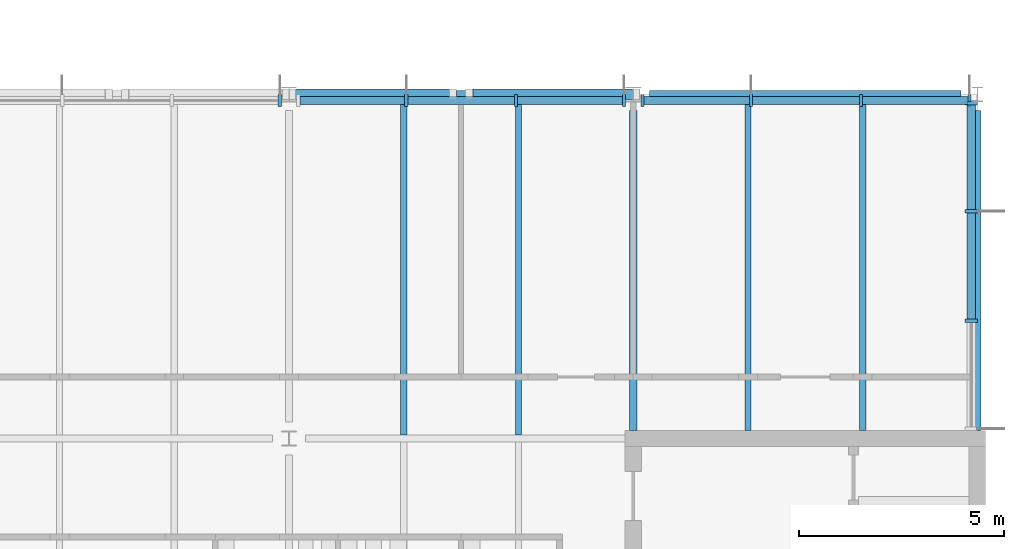
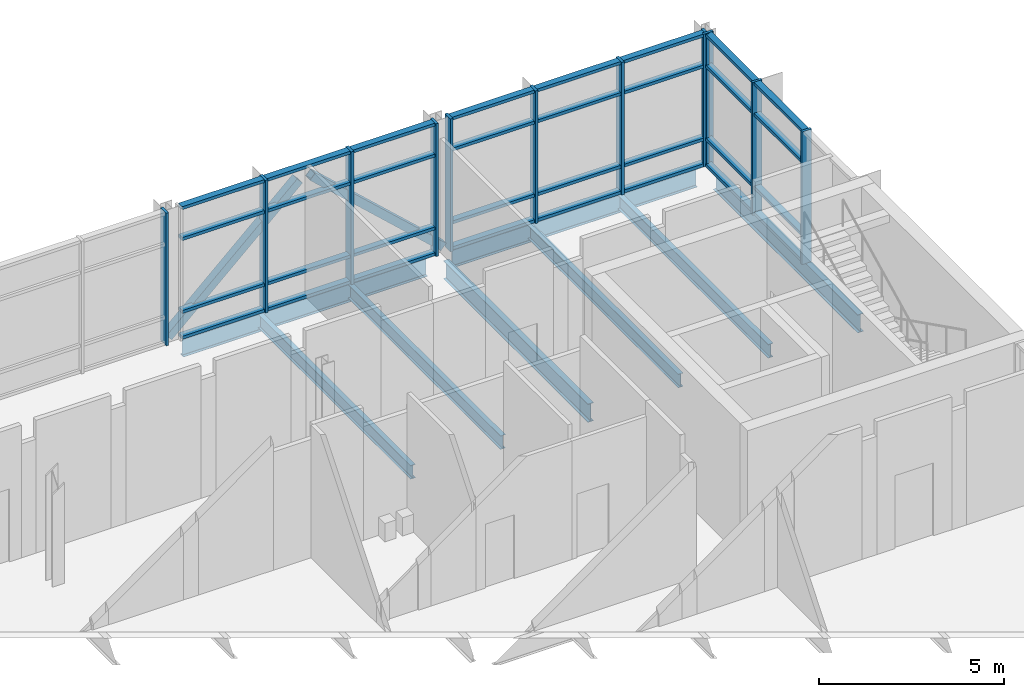
# One storey, part 35 of 89: 45 members, 8 beams, 4 elements without a shape of their own.
"""IFC4 building model written with IfcOpenShell, lengths in metres."""

from ifc_helpers import new_model, si_unit, direction, frame, origin, origin_2d, place, context, subcontext, project, spatial, rectangle, hollow_rectangle, i_section, extrude, material, material_profile, profile_set, type_object, element, aggregate, save


model = new_model("IFC4")

# Units and contexts
model_context = context("Model", 3, precision=1e-05, world=origin(), true_north=direction((0.0, 1.0)))
body_context = subcontext(model_context, "Body", "Model", "MODEL_VIEW")
ifc_project = project(units=[si_unit("LENGTHUNIT", "METRE"), si_unit("AREAUNIT", "SQUARE_METRE"), si_unit("VOLUMEUNIT", "CUBIC_METRE"), si_unit("PLANEANGLEUNIT", "RADIAN"), si_unit("MASSUNIT", "GRAM", prefix="KILO")], contexts=[model_context])

# Site, building, storey
site_placement = place(None, origin())
site = spatial("IfcSite", under=ifc_project, at=site_placement, CompositionType="ELEMENT")
building_placement = place(site_placement, origin())
building = spatial("IfcBuilding", under=site, at=building_placement, Name="Hlaing Beacon Police Headquarters", CompositionType="ELEMENT")
storey_placement = place(building_placement, frame((0.0, 0.0, 9.89990234375)))
storey = spatial("IfcBuildingStorey", under=building, at=storey_placement, Name="L02", CompositionType="ELEMENT", Elevation=9.89990234375)

# Members
ifc_material_1 = material(Name="Steel ASTM A500 Grade C", Category="steel")
ifc_material_profile_1 = material_profile(ifc_material_1, hollow_rectangle(XDim=0.25390625, YDim=0.25390625, WallThickness=0.0126953125, at=origin_2d()), Name="HSS10x10x1/2")
ifc_profile_set_1 = profile_set([ifc_material_profile_1], Name="Steel ASTM A500 Grade C")
member_type_1 = type_object("IfcMemberType", Name="Chevron brace HSS10x10x1/2", PredefinedType="BRACE", material=ifc_profile_set_1)
member_1_placement = place(storey_placement, frame((117.52490234375, 92.39990234375, 0.093994140625), z_axis=(0.736384545735, 0.0, 0.676563227498), x_axis=(0.0, 1.0, 0.0)))
element("IfcMember", 1, at=member_1_placement, inside=storey, type_object=member_type_1, Name="STR-BR-L02-12Qa", PredefinedType="BRACE", context=body_context, shape_type="SweptSolid", body=[
    extrude(hollow_rectangle(XDim=0.25390625, YDim=0.25390625, WallThickness=0.0126953125, at=origin_2d()), origin(), (0.0, 0.0, 1.0), 5.5341796875),
])
member_2_placement = place(storey_placement, frame((126.074951171875, 92.39990234375, 0.093994140625), z_axis=(-0.736364351183, 0.0, 0.676585206982), x_axis=(0.0, -1.0, 0.0)))
element("IfcMember", 2, at=member_2_placement, inside=storey, type_object=member_type_1, Name="STR-BR-L02-12Qb", PredefinedType="BRACE", context=body_context, shape_type="SweptSolid", body=[
    extrude(hollow_rectangle(XDim=0.25390625, YDim=0.25390625, WallThickness=0.0126953125, at=origin_2d()), origin(), (0.0, 0.0, 1.0), 5.533935546875),
])

# Beams
ifc_material_2 = material(Name="Steel ASTM A992 Grade 50", Category="steel")
ifc_material_profile_2 = material_profile(ifc_material_2, i_section(OverallWidth=0.177978515625, OverallDepth=0.599365234375, WebThickness=0.010009765625, FlangeThickness=0.012939453125, FilletRadius=0.012939453125, at=origin_2d()), Name="W24x55")
ifc_profile_set_2 = profile_set([ifc_material_profile_2], Name="Steel ASTM A992 Grade 50")
beam_type_1 = type_object("IfcBeamType", Name="Girder W24x55", PredefinedType="BEAM", material=ifc_profile_set_2)
for number, where, z_axis, x_axis, name in (
    (3, (118.0, 92.39990234375, -0.4296875), (1.0, 0.0, 0.0), (0.0, 1.0, 0.0), "STR-BM-L02-GX-Q12-R12"),
    (4, (126.39990234375, 92.39990234375, -0.4296875), (1.0, 0.0, 0.0), (0.0, 1.0, 0.0), "STR-BM-L02-GX-R12-S12"),
):
    element("IfcBeam", number, at=place(storey_placement, frame(where, z_axis=z_axis, x_axis=x_axis)), inside=storey, type_object=beam_type_1, Name=name, PredefinedType="BEAM", context=body_context, shape_type="SweptSolid", body=[
        extrude(i_section(OverallWidth=0.177978515625, OverallDepth=0.599365234375, WebThickness=0.010009765625, FlangeThickness=0.012939453125, FilletRadius=0.012939453125, at=origin_2d()), origin(), (0.0, 0.0, 1.0), 7.60009765625),
    ])
for number, where, z_axis, x_axis, name in (
    (5, (126.0, 84.199951171875, -0.4296875), (0.0, 1.0, 0.0), (-1.0, 0.0, 0.0), "STR-BM-L02-GY-R11-R12"),
    (6, (134.39990234375, 84.199951171875, -0.4296875), (0.0, 1.0, 0.0), (-1.0, 0.0, 0.0), "STR-BM-L02-GY-S11-S12"),
):
    element("IfcBeam", number, at=place(storey_placement, frame(where, z_axis=z_axis, x_axis=x_axis)), inside=storey, type_object=beam_type_1, Name=name, PredefinedType="BEAM", context=body_context, shape_type="SweptSolid", body=[
        extrude(i_section(OverallWidth=0.177978515625, OverallDepth=0.599365234375, WebThickness=0.010009765625, FlangeThickness=0.012939453125, FilletRadius=0.012939453125, at=origin_2d()), origin(), (0.0, 0.0, 1.0), 7.800048828125),
    ])

# Curtain wall, members
ifc_material_3 = material(Name="Aluminium frame with solar control glazing", Category="aluminium")
curtain_wall_type_1 = type_object("IfcCurtainWallType", Name="Structural glazed gable wall 8.02 x 4.37", PredefinedType="NOTDEFINED", material=ifc_material_3)
curtain_wall_1_placement = place(storey_placement, origin())
curtain_wall_1 = element("IfcCurtainWall", 7, at=curtain_wall_1_placement, inside=storey, type_object=curtain_wall_type_1, Name="ENV-CW-L02-E021", PredefinedType="NOTDEFINED")
ifc_material_4 = material(Name="Aluminium", Category="aluminium")
ifc_material_profile_3 = material_profile(ifc_material_4, rectangle(XDim=0.300048828125, YDim=0.080078125, at=origin_2d()), Name="Mullion 80x300")
ifc_profile_set_3 = profile_set([ifc_material_profile_3], Name="Aluminium")
member_type_2 = type_object("IfcMemberType", Name="Mullion 80x300", PredefinedType="MULLION", material=ifc_profile_set_3)
member_3_placement = place(storey_placement, frame((134.25, 86.8740234375, 0.0), z_axis=(0.0, 0.0, 1.0), x_axis=(-1.0, 0.0, 0.0)))
member_3 = element("IfcMember", 8, at=member_3_placement, type_object=member_type_2, Name="CW-L02-E021 mullion 2", PredefinedType="MULLION", context=body_context, shape_type="SweptSolid", body=[
    extrude(rectangle(XDim=0.300048828125, YDim=0.080078125, at=origin_2d()), origin(), (0.0, 0.0, 1.0), 4.3701171875),
])
member_4_placement = place(storey_placement, frame((134.25, 89.548095703125, 0.0), z_axis=(0.0, 0.0, 1.0), x_axis=(-1.0, 0.0, 0.0)))
member_4 = element("IfcMember", 9, at=member_4_placement, type_object=member_type_2, Name="CW-L02-E021 mullion 3", PredefinedType="MULLION", context=body_context, shape_type="SweptSolid", body=[
    extrude(rectangle(XDim=0.300048828125, YDim=0.080078125, at=origin_2d()), origin(), (0.0, 0.0, 1.0), 4.3701171875),
])
member_5_placement = place(storey_placement, frame((134.25, 92.18212890625, 0.0), z_axis=(0.0, 0.0, 1.0), x_axis=(-1.0, 0.0, 0.0)))
member_5 = element("IfcMember", 10, at=member_5_placement, type_object=member_type_2, Name="CW-L02-E021 mullion 4", PredefinedType="MULLION", context=body_context, shape_type="SweptSolid", body=[
    extrude(rectangle(XDim=0.300048828125, YDim=0.080078125, at=origin_2d()), origin(), (0.0, 0.0, 1.0), 4.3701171875),
])

ifc_material_5 = material(Name="Aluminium frame with solar control glazing", Category="aluminium")
curtain_wall_type_2 = type_object("IfcCurtainWallType", Name="Structural glazed gable wall 8.06 x 4.37", PredefinedType="NOTDEFINED", material=ifc_material_5)
curtain_wall_2_placement = place(storey_placement, origin())
curtain_wall_2 = element("IfcCurtainWall", 11, at=curtain_wall_2_placement, inside=storey, type_object=curtain_wall_type_2, Name="ENV-CW-L02-N022", PredefinedType="NOTDEFINED")
member_6_placement = place(storey_placement, frame((134.2099609375, 92.25, 0.0), z_axis=(0.0, 0.0, 1.0), x_axis=(0.0, -1.0, 0.0)))
member_6 = element("IfcMember", 12, at=member_6_placement, type_object=member_type_2, Name="CW-L02-N022 mullion 1", PredefinedType="MULLION", context=body_context, shape_type="SweptSolid", body=[
    extrude(rectangle(XDim=0.300048828125, YDim=0.080078125, at=origin_2d()), origin(), (0.0, 0.0, 1.0), 4.3701171875),
])
member_7_placement = place(storey_placement, frame((131.561767578125, 92.25, 0.0), z_axis=(0.0, 0.0, 1.0), x_axis=(0.0, -1.0, 0.0)))
member_7 = element("IfcMember", 13, at=member_7_placement, type_object=member_type_2, Name="CW-L02-N022 mullion 2", PredefinedType="MULLION", context=body_context, shape_type="SweptSolid", body=[
    extrude(rectangle(XDim=0.300048828125, YDim=0.080078125, at=origin_2d()), origin(), (0.0, 0.0, 1.0), 4.3701171875),
])
member_8_placement = place(storey_placement, frame((128.87353515625, 92.25, 0.0), z_axis=(0.0, 0.0, 1.0), x_axis=(0.0, -1.0, 0.0)))
member_8 = element("IfcMember", 14, at=member_8_placement, type_object=member_type_2, Name="CW-L02-N022 mullion 3", PredefinedType="MULLION", context=body_context, shape_type="SweptSolid", body=[
    extrude(rectangle(XDim=0.300048828125, YDim=0.080078125, at=origin_2d()), origin(), (0.0, 0.0, 1.0), 4.3701171875),
])
member_9_placement = place(storey_placement, frame((126.225341796875, 92.25, 0.0), z_axis=(0.0, 0.0, 1.0), x_axis=(0.0, -1.0, 0.0)))
member_9 = element("IfcMember", 15, at=member_9_placement, type_object=member_type_2, Name="CW-L02-N022 mullion 4", PredefinedType="MULLION", context=body_context, shape_type="SweptSolid", body=[
    extrude(rectangle(XDim=0.300048828125, YDim=0.080078125, at=origin_2d()), origin(), (0.0, 0.0, 1.0), 4.3701171875),
])

ifc_material_6 = material(Name="Aluminium frame with solar control glazing", Category="aluminium")
curtain_wall_type_3 = type_object("IfcCurtainWallType", Name="Structural glazed gable wall 8.03 x 4.37", PredefinedType="NOTDEFINED", material=ifc_material_6)
curtain_wall_3_placement = place(storey_placement, origin())
curtain_wall_3 = element("IfcCurtainWall", 16, at=curtain_wall_3_placement, inside=storey, type_object=curtain_wall_type_3, Name="ENV-CW-L02-N023", PredefinedType="NOTDEFINED")
member_10_placement = place(storey_placement, frame((125.774658203125, 92.25, 0.0), z_axis=(0.0, 0.0, 1.0), x_axis=(0.0, -1.0, 0.0)))
member_10 = element("IfcMember", 17, at=member_10_placement, type_object=member_type_2, Name="CW-L02-N023 mullion 1", PredefinedType="MULLION", context=body_context, shape_type="SweptSolid", body=[
    extrude(rectangle(XDim=0.300048828125, YDim=0.080078125, at=origin_2d()), origin(), (0.0, 0.0, 1.0), 4.3701171875),
])
member_11_placement = place(storey_placement, frame((123.13818359375, 92.25, 0.0), z_axis=(0.0, 0.0, 1.0), x_axis=(0.0, -1.0, 0.0)))
member_11 = element("IfcMember", 18, at=member_11_placement, type_object=member_type_2, Name="CW-L02-N023 mullion 2", PredefinedType="MULLION", context=body_context, shape_type="SweptSolid", body=[
    extrude(rectangle(XDim=0.300048828125, YDim=0.080078125, at=origin_2d()), origin(), (0.0, 0.0, 1.0), 4.3701171875),
])
member_12_placement = place(storey_placement, frame((120.4619140625, 92.25, 0.0), z_axis=(0.0, 0.0, 1.0), x_axis=(0.0, -1.0, 0.0)))
member_12 = element("IfcMember", 19, at=member_12_placement, type_object=member_type_2, Name="CW-L02-N023 mullion 3", PredefinedType="MULLION", context=body_context, shape_type="SweptSolid", body=[
    extrude(rectangle(XDim=0.300048828125, YDim=0.080078125, at=origin_2d()), origin(), (0.0, 0.0, 1.0), 4.3701171875),
])

# Curtain wall, member
curtain_wall_4_placement = place(storey_placement, origin())
curtain_wall_4 = element("IfcCurtainWall", 20, at=curtain_wall_4_placement, inside=storey, type_object=curtain_wall_type_3, Name="ENV-CW-L02-N024", PredefinedType="NOTDEFINED")
member_13_placement = place(storey_placement, frame((117.37451171875, 92.25, 0.0), z_axis=(0.0, 0.0, 1.0), x_axis=(0.0, -1.0, 0.0)))
member_13 = element("IfcMember", 21, at=member_13_placement, type_object=member_type_2, Name="CW-L02-N024 mullion 1", PredefinedType="MULLION", context=body_context, shape_type="SweptSolid", body=[
    extrude(rectangle(XDim=0.300048828125, YDim=0.080078125, at=origin_2d()), origin(), (0.0, 0.0, 1.0), 4.3701171875),
])
aggregate(curtain_wall_4, [member_13])

# Beams
ifc_material_7 = material(Name="Steel ASTM A992 Grade 50", Category="steel")
ifc_material_profile_4 = material_profile(ifc_material_7, i_section(OverallWidth=0.15234375, OverallDepth=0.449462890625, WebThickness=0.007568359375, FlangeThickness=0.0107421875, FilletRadius=0.01025390625, at=origin_2d()), Name="W18x35")
ifc_profile_set_4 = profile_set([ifc_material_profile_4], Name="Steel ASTM A992 Grade 50")
beam_type_2 = type_object("IfcBeamType", Name="Secondary beam W18x35", PredefinedType="BEAM", material=ifc_profile_set_4)
for number, where, z_axis, x_axis, name in (
    (22, (120.39990234375, 84.089111328125, -0.354736328125), (0.0, 1.0, 0.0), (-1.0, 0.0, 0.0), "STR-BM-L02-SB-Q11-y1"),
    (23, (123.199951171875, 84.089111328125, -0.354736328125), (0.0, 1.0, 0.0), (-1.0, 0.0, 0.0), "STR-BM-L02-SB-Q11-y2"),
):
    element("IfcBeam", number, at=place(storey_placement, frame(where, z_axis=z_axis, x_axis=x_axis)), inside=storey, type_object=beam_type_2, Name=name, PredefinedType="BEAM", context=body_context, shape_type="SweptSolid", body=[
        extrude(i_section(OverallWidth=0.15234375, OverallDepth=0.449462890625, WebThickness=0.007568359375, FlangeThickness=0.0107421875, FilletRadius=0.01025390625, at=origin_2d()), origin(), (0.0, 0.0, 1.0), 8.221923828125),
    ])
for number, where, z_axis, x_axis, name in (
    (24, (128.800048828125, 84.199951171875, -0.354736328125), (0.0, 1.0, 0.0), (-1.0, 0.0, 0.0), "STR-BM-L02-SB-R11-y1"),
    (25, (131.60009765625, 84.199951171875, -0.354736328125), (0.0, 1.0, 0.0), (-1.0, 0.0, 0.0), "STR-BM-L02-SB-R11-y2"),
):
    element("IfcBeam", number, at=place(storey_placement, frame(where, z_axis=z_axis, x_axis=x_axis)), inside=storey, type_object=beam_type_2, Name=name, PredefinedType="BEAM", context=body_context, shape_type="SweptSolid", body=[
        extrude(i_section(OverallWidth=0.15234375, OverallDepth=0.449462890625, WebThickness=0.007568359375, FlangeThickness=0.0107421875, FilletRadius=0.01025390625, at=origin_2d()), origin(), (0.0, 0.0, 1.0), 8.111083984375),
    ])

# Member
ifc_material_8 = material(Name="Aluminium", Category="aluminium")
ifc_material_profile_5 = material_profile(ifc_material_8, rectangle(XDim=0.199951171875, YDim=0.10009765625, at=origin_2d()), Name="Transom 200x100")
ifc_profile_set_5 = profile_set([ifc_material_profile_5], Name="Aluminium")
member_type_3 = type_object("IfcMemberType", Name="Transom 200x100", PredefinedType="USERDEFINED", material=ifc_profile_set_5)
member_14_placement = place(storey_placement, frame((134.25, 86.9140625, 0.050048828125), z_axis=(0.0, 1.0, 0.0), x_axis=(-1.0, 0.0, 0.0)))
member_14 = element("IfcMember", 26, at=member_14_placement, type_object=member_type_3, Name="CW-L02-E021 transom 2.1", ObjectType="TRANSOM", PredefinedType="USERDEFINED", context=body_context, shape_type="SweptSolid", body=[
    extrude(rectangle(XDim=0.199951171875, YDim=0.10009765625, at=origin_2d()), origin(), (0.0, 0.0, 1.0), 2.593994140625),
])

member_15_placement = place(storey_placement, frame((134.25, 86.9140625, 0.900146484375), z_axis=(0.0, 1.0, 0.0), x_axis=(-1.0, 0.0, 0.0)))
member_15 = element("IfcMember", 27, at=member_15_placement, type_object=member_type_3, Name="CW-L02-E021 transom 2.2", ObjectType="TRANSOM", PredefinedType="USERDEFINED", context=body_context, shape_type="SweptSolid", body=[
    extrude(rectangle(XDim=0.199951171875, YDim=0.10009765625, at=origin_2d()), origin(), (0.0, 0.0, 1.0), 2.593994140625),
])

member_16_placement = place(storey_placement, frame((134.25, 86.9140625, 3.300048828125), z_axis=(0.0, 1.0, 0.0), x_axis=(-1.0, 0.0, 0.0)))
member_16 = element("IfcMember", 28, at=member_16_placement, type_object=member_type_3, Name="CW-L02-E021 transom 2.3", ObjectType="TRANSOM", PredefinedType="USERDEFINED", context=body_context, shape_type="SweptSolid", body=[
    extrude(rectangle(XDim=0.199951171875, YDim=0.10009765625, at=origin_2d()), origin(), (0.0, 0.0, 1.0), 2.593994140625),
])

member_17_placement = place(storey_placement, frame((134.25, 86.9140625, 4.320068359375), z_axis=(0.0, 1.0, 0.0), x_axis=(-1.0, 0.0, 0.0)))
member_17 = element("IfcMember", 29, at=member_17_placement, type_object=member_type_3, Name="CW-L02-E021 transom 2.4", ObjectType="TRANSOM", PredefinedType="USERDEFINED", context=body_context, shape_type="SweptSolid", body=[
    extrude(rectangle(XDim=0.199951171875, YDim=0.10009765625, at=origin_2d()), origin(), (0.0, 0.0, 1.0), 2.593994140625),
])

member_18_placement = place(storey_placement, frame((134.25, 89.588134765625, 0.050048828125), z_axis=(0.0, 1.0, 0.0), x_axis=(-1.0, 0.0, 0.0)))
member_18 = element("IfcMember", 30, at=member_18_placement, type_object=member_type_3, Name="CW-L02-E021 transom 3.1", ObjectType="TRANSOM", PredefinedType="USERDEFINED", context=body_context, shape_type="SweptSolid", body=[
    extrude(rectangle(XDim=0.199951171875, YDim=0.10009765625, at=origin_2d()), origin(), (0.0, 0.0, 1.0), 2.553955078125),
])

member_19_placement = place(storey_placement, frame((134.25, 89.588134765625, 0.900146484375), z_axis=(0.0, 1.0, 0.0), x_axis=(-1.0, 0.0, 0.0)))
member_19 = element("IfcMember", 31, at=member_19_placement, type_object=member_type_3, Name="CW-L02-E021 transom 3.2", ObjectType="TRANSOM", PredefinedType="USERDEFINED", context=body_context, shape_type="SweptSolid", body=[
    extrude(rectangle(XDim=0.199951171875, YDim=0.10009765625, at=origin_2d()), origin(), (0.0, 0.0, 1.0), 2.553955078125),
])

member_20_placement = place(storey_placement, frame((134.25, 89.588134765625, 3.300048828125), z_axis=(0.0, 1.0, 0.0), x_axis=(-1.0, 0.0, 0.0)))
member_20 = element("IfcMember", 32, at=member_20_placement, type_object=member_type_3, Name="CW-L02-E021 transom 3.3", ObjectType="TRANSOM", PredefinedType="USERDEFINED", context=body_context, shape_type="SweptSolid", body=[
    extrude(rectangle(XDim=0.199951171875, YDim=0.10009765625, at=origin_2d()), origin(), (0.0, 0.0, 1.0), 2.553955078125),
])

member_21_placement = place(storey_placement, frame((134.25, 89.588134765625, 4.320068359375), z_axis=(0.0, 1.0, 0.0), x_axis=(-1.0, 0.0, 0.0)))
member_21 = element("IfcMember", 33, at=member_21_placement, type_object=member_type_3, Name="CW-L02-E021 transom 3.4", ObjectType="TRANSOM", PredefinedType="USERDEFINED", context=body_context, shape_type="SweptSolid", body=[
    extrude(rectangle(XDim=0.199951171875, YDim=0.10009765625, at=origin_2d()), origin(), (0.0, 0.0, 1.0), 2.553955078125),
])

aggregate(curtain_wall_1, [member_3, member_4, member_5, member_14, member_15, member_16, member_17, member_18, member_19, member_20, member_21])

member_22_placement = place(storey_placement, frame((134.169921875, 92.25, 0.050048828125), z_axis=(-1.0, 0.0, 0.0), x_axis=(0.0, -1.0, 0.0)))
member_22 = element("IfcMember", 34, at=member_22_placement, type_object=member_type_3, Name="CW-L02-N022 transom 1.1", ObjectType="TRANSOM", PredefinedType="USERDEFINED", context=body_context, shape_type="SweptSolid", body=[
    extrude(rectangle(XDim=0.199951171875, YDim=0.10009765625, at=origin_2d()), origin(), (0.0, 0.0, 1.0), 2.568115234375),
])

member_23_placement = place(storey_placement, frame((134.169921875, 92.25, 0.900146484375), z_axis=(-1.0, 0.0, 0.0), x_axis=(0.0, -1.0, 0.0)))
member_23 = element("IfcMember", 35, at=member_23_placement, type_object=member_type_3, Name="CW-L02-N022 transom 1.2", ObjectType="TRANSOM", PredefinedType="USERDEFINED", context=body_context, shape_type="SweptSolid", body=[
    extrude(rectangle(XDim=0.199951171875, YDim=0.10009765625, at=origin_2d()), origin(), (0.0, 0.0, 1.0), 2.568115234375),
])

member_24_placement = place(storey_placement, frame((134.169921875, 92.25, 3.300048828125), z_axis=(-1.0, 0.0, 0.0), x_axis=(0.0, -1.0, 0.0)))
member_24 = element("IfcMember", 36, at=member_24_placement, type_object=member_type_3, Name="CW-L02-N022 transom 1.3", ObjectType="TRANSOM", PredefinedType="USERDEFINED", context=body_context, shape_type="SweptSolid", body=[
    extrude(rectangle(XDim=0.199951171875, YDim=0.10009765625, at=origin_2d()), origin(), (0.0, 0.0, 1.0), 2.568115234375),
])

member_25_placement = place(storey_placement, frame((134.169921875, 92.25, 4.320068359375), z_axis=(-1.0, 0.0, 0.0), x_axis=(0.0, -1.0, 0.0)))
member_25 = element("IfcMember", 37, at=member_25_placement, type_object=member_type_3, Name="CW-L02-N022 transom 1.4", ObjectType="TRANSOM", PredefinedType="USERDEFINED", context=body_context, shape_type="SweptSolid", body=[
    extrude(rectangle(XDim=0.199951171875, YDim=0.10009765625, at=origin_2d()), origin(), (0.0, 0.0, 1.0), 2.568115234375),
])

member_26_placement = place(storey_placement, frame((131.521728515625, 92.25, 0.050048828125), z_axis=(-1.0, 0.0, 0.0), x_axis=(0.0, -1.0, 0.0)))
member_26 = element("IfcMember", 38, at=member_26_placement, type_object=member_type_3, Name="CW-L02-N022 transom 2.1", ObjectType="TRANSOM", PredefinedType="USERDEFINED", context=body_context, shape_type="SweptSolid", body=[
    extrude(rectangle(XDim=0.199951171875, YDim=0.10009765625, at=origin_2d()), origin(), (0.0, 0.0, 1.0), 2.608154296875),
])

member_27_placement = place(storey_placement, frame((131.521728515625, 92.25, 0.900146484375), z_axis=(-1.0, 0.0, 0.0), x_axis=(0.0, -1.0, 0.0)))
member_27 = element("IfcMember", 39, at=member_27_placement, type_object=member_type_3, Name="CW-L02-N022 transom 2.2", ObjectType="TRANSOM", PredefinedType="USERDEFINED", context=body_context, shape_type="SweptSolid", body=[
    extrude(rectangle(XDim=0.199951171875, YDim=0.10009765625, at=origin_2d()), origin(), (0.0, 0.0, 1.0), 2.608154296875),
])

member_28_placement = place(storey_placement, frame((131.521728515625, 92.25, 3.300048828125), z_axis=(-1.0, 0.0, 0.0), x_axis=(0.0, -1.0, 0.0)))
member_28 = element("IfcMember", 40, at=member_28_placement, type_object=member_type_3, Name="CW-L02-N022 transom 2.3", ObjectType="TRANSOM", PredefinedType="USERDEFINED", context=body_context, shape_type="SweptSolid", body=[
    extrude(rectangle(XDim=0.199951171875, YDim=0.10009765625, at=origin_2d()), origin(), (0.0, 0.0, 1.0), 2.608154296875),
])

member_29_placement = place(storey_placement, frame((131.521728515625, 92.25, 4.320068359375), z_axis=(-1.0, 0.0, 0.0), x_axis=(0.0, -1.0, 0.0)))
member_29 = element("IfcMember", 41, at=member_29_placement, type_object=member_type_3, Name="CW-L02-N022 transom 2.4", ObjectType="TRANSOM", PredefinedType="USERDEFINED", context=body_context, shape_type="SweptSolid", body=[
    extrude(rectangle(XDim=0.199951171875, YDim=0.10009765625, at=origin_2d()), origin(), (0.0, 0.0, 1.0), 2.608154296875),
])

member_30_placement = place(storey_placement, frame((128.83349609375, 92.25, 0.050048828125), z_axis=(-1.0, 0.0, 0.0), x_axis=(0.0, -1.0, 0.0)))
member_30 = element("IfcMember", 42, at=member_30_placement, type_object=member_type_3, Name="CW-L02-N022 transom 3.1", ObjectType="TRANSOM", PredefinedType="USERDEFINED", context=body_context, shape_type="SweptSolid", body=[
    extrude(rectangle(XDim=0.199951171875, YDim=0.10009765625, at=origin_2d()), origin(), (0.0, 0.0, 1.0), 2.568115234375),
])

member_31_placement = place(storey_placement, frame((128.83349609375, 92.25, 0.900146484375), z_axis=(-1.0, 0.0, 0.0), x_axis=(0.0, -1.0, 0.0)))
member_31 = element("IfcMember", 43, at=member_31_placement, type_object=member_type_3, Name="CW-L02-N022 transom 3.2", ObjectType="TRANSOM", PredefinedType="USERDEFINED", context=body_context, shape_type="SweptSolid", body=[
    extrude(rectangle(XDim=0.199951171875, YDim=0.10009765625, at=origin_2d()), origin(), (0.0, 0.0, 1.0), 2.568115234375),
])

member_32_placement = place(storey_placement, frame((128.83349609375, 92.25, 3.300048828125), z_axis=(-1.0, 0.0, 0.0), x_axis=(0.0, -1.0, 0.0)))
member_32 = element("IfcMember", 44, at=member_32_placement, type_object=member_type_3, Name="CW-L02-N022 transom 3.3", ObjectType="TRANSOM", PredefinedType="USERDEFINED", context=body_context, shape_type="SweptSolid", body=[
    extrude(rectangle(XDim=0.199951171875, YDim=0.10009765625, at=origin_2d()), origin(), (0.0, 0.0, 1.0), 2.568115234375),
])

member_33_placement = place(storey_placement, frame((128.83349609375, 92.25, 4.320068359375), z_axis=(-1.0, 0.0, 0.0), x_axis=(0.0, -1.0, 0.0)))
member_33 = element("IfcMember", 45, at=member_33_placement, type_object=member_type_3, Name="CW-L02-N022 transom 3.4", ObjectType="TRANSOM", PredefinedType="USERDEFINED", context=body_context, shape_type="SweptSolid", body=[
    extrude(rectangle(XDim=0.199951171875, YDim=0.10009765625, at=origin_2d()), origin(), (0.0, 0.0, 1.0), 2.568115234375),
])

aggregate(curtain_wall_2, [member_6, member_7, member_8, member_9, member_22, member_23, member_24, member_25, member_26, member_27, member_28, member_29, member_30, member_31, member_32, member_33])

member_34_placement = place(storey_placement, frame((125.734619140625, 92.25, 0.050048828125), z_axis=(-1.0, 0.0, 0.0), x_axis=(0.0, -1.0, 0.0)))
member_34 = element("IfcMember", 46, at=member_34_placement, type_object=member_type_3, Name="CW-L02-N023 transom 1.1", ObjectType="TRANSOM", PredefinedType="USERDEFINED", context=body_context, shape_type="SweptSolid", body=[
    extrude(rectangle(XDim=0.199951171875, YDim=0.10009765625, at=origin_2d()), origin(), (0.0, 0.0, 1.0), 2.556396484375),
])

member_35_placement = place(storey_placement, frame((125.734619140625, 92.25, 0.900146484375), z_axis=(-1.0, 0.0, 0.0), x_axis=(0.0, -1.0, 0.0)))
member_35 = element("IfcMember", 47, at=member_35_placement, type_object=member_type_3, Name="CW-L02-N023 transom 1.2", ObjectType="TRANSOM", PredefinedType="USERDEFINED", context=body_context, shape_type="SweptSolid", body=[
    extrude(rectangle(XDim=0.199951171875, YDim=0.10009765625, at=origin_2d()), origin(), (0.0, 0.0, 1.0), 2.556396484375),
])

member_36_placement = place(storey_placement, frame((125.734619140625, 92.25, 3.300048828125), z_axis=(-1.0, 0.0, 0.0), x_axis=(0.0, -1.0, 0.0)))
member_36 = element("IfcMember", 48, at=member_36_placement, type_object=member_type_3, Name="CW-L02-N023 transom 1.3", ObjectType="TRANSOM", PredefinedType="USERDEFINED", context=body_context, shape_type="SweptSolid", body=[
    extrude(rectangle(XDim=0.199951171875, YDim=0.10009765625, at=origin_2d()), origin(), (0.0, 0.0, 1.0), 2.556396484375),
])

member_37_placement = place(storey_placement, frame((125.734619140625, 92.25, 4.320068359375), z_axis=(-1.0, 0.0, 0.0), x_axis=(0.0, -1.0, 0.0)))
member_37 = element("IfcMember", 49, at=member_37_placement, type_object=member_type_3, Name="CW-L02-N023 transom 1.4", ObjectType="TRANSOM", PredefinedType="USERDEFINED", context=body_context, shape_type="SweptSolid", body=[
    extrude(rectangle(XDim=0.199951171875, YDim=0.10009765625, at=origin_2d()), origin(), (0.0, 0.0, 1.0), 2.556396484375),
])

member_38_placement = place(storey_placement, frame((123.09814453125, 92.25, 0.050048828125), z_axis=(-1.0, 0.0, 0.0), x_axis=(0.0, -1.0, 0.0)))
member_38 = element("IfcMember", 50, at=member_38_placement, type_object=member_type_3, Name="CW-L02-N023 transom 2.1", ObjectType="TRANSOM", PredefinedType="USERDEFINED", context=body_context, shape_type="SweptSolid", body=[
    extrude(rectangle(XDim=0.199951171875, YDim=0.10009765625, at=origin_2d()), origin(), (0.0, 0.0, 1.0), 2.596435546875),
])

member_39_placement = place(storey_placement, frame((123.09814453125, 92.25, 0.900146484375), z_axis=(-1.0, 0.0, 0.0), x_axis=(0.0, -1.0, 0.0)))
member_39 = element("IfcMember", 51, at=member_39_placement, type_object=member_type_3, Name="CW-L02-N023 transom 2.2", ObjectType="TRANSOM", PredefinedType="USERDEFINED", context=body_context, shape_type="SweptSolid", body=[
    extrude(rectangle(XDim=0.199951171875, YDim=0.10009765625, at=origin_2d()), origin(), (0.0, 0.0, 1.0), 2.596435546875),
])

member_40_placement = place(storey_placement, frame((123.09814453125, 92.25, 3.300048828125), z_axis=(-1.0, 0.0, 0.0), x_axis=(0.0, -1.0, 0.0)))
member_40 = element("IfcMember", 52, at=member_40_placement, type_object=member_type_3, Name="CW-L02-N023 transom 2.3", ObjectType="TRANSOM", PredefinedType="USERDEFINED", context=body_context, shape_type="SweptSolid", body=[
    extrude(rectangle(XDim=0.199951171875, YDim=0.10009765625, at=origin_2d()), origin(), (0.0, 0.0, 1.0), 2.596435546875),
])

member_41_placement = place(storey_placement, frame((123.09814453125, 92.25, 4.320068359375), z_axis=(-1.0, 0.0, 0.0), x_axis=(0.0, -1.0, 0.0)))
member_41 = element("IfcMember", 53, at=member_41_placement, type_object=member_type_3, Name="CW-L02-N023 transom 2.4", ObjectType="TRANSOM", PredefinedType="USERDEFINED", context=body_context, shape_type="SweptSolid", body=[
    extrude(rectangle(XDim=0.199951171875, YDim=0.10009765625, at=origin_2d()), origin(), (0.0, 0.0, 1.0), 2.596435546875),
])

member_42_placement = place(storey_placement, frame((120.421875, 92.25, 0.050048828125), z_axis=(-1.0, 0.0, 0.0), x_axis=(0.0, -1.0, 0.0)))
member_42 = element("IfcMember", 54, at=member_42_placement, type_object=member_type_3, Name="CW-L02-N023 transom 3.1", ObjectType="TRANSOM", PredefinedType="USERDEFINED", context=body_context, shape_type="SweptSolid", body=[
    extrude(rectangle(XDim=0.199951171875, YDim=0.10009765625, at=origin_2d()), origin(), (0.0, 0.0, 1.0), 2.556396484375),
])

member_43_placement = place(storey_placement, frame((120.421875, 92.25, 0.900146484375), z_axis=(-1.0, 0.0, 0.0), x_axis=(0.0, -1.0, 0.0)))
member_43 = element("IfcMember", 55, at=member_43_placement, type_object=member_type_3, Name="CW-L02-N023 transom 3.2", ObjectType="TRANSOM", PredefinedType="USERDEFINED", context=body_context, shape_type="SweptSolid", body=[
    extrude(rectangle(XDim=0.199951171875, YDim=0.10009765625, at=origin_2d()), origin(), (0.0, 0.0, 1.0), 2.556396484375),
])

member_44_placement = place(storey_placement, frame((120.421875, 92.25, 3.300048828125), z_axis=(-1.0, 0.0, 0.0), x_axis=(0.0, -1.0, 0.0)))
member_44 = element("IfcMember", 56, at=member_44_placement, type_object=member_type_3, Name="CW-L02-N023 transom 3.3", ObjectType="TRANSOM", PredefinedType="USERDEFINED", context=body_context, shape_type="SweptSolid", body=[
    extrude(rectangle(XDim=0.199951171875, YDim=0.10009765625, at=origin_2d()), origin(), (0.0, 0.0, 1.0), 2.556396484375),
])

member_45_placement = place(storey_placement, frame((120.421875, 92.25, 4.320068359375), z_axis=(-1.0, 0.0, 0.0), x_axis=(0.0, -1.0, 0.0)))
member_45 = element("IfcMember", 57, at=member_45_placement, type_object=member_type_3, Name="CW-L02-N023 transom 3.4", ObjectType="TRANSOM", PredefinedType="USERDEFINED", context=body_context, shape_type="SweptSolid", body=[
    extrude(rectangle(XDim=0.199951171875, YDim=0.10009765625, at=origin_2d()), origin(), (0.0, 0.0, 1.0), 2.556396484375),
])

aggregate(curtain_wall_3, [member_10, member_11, member_12, member_34, member_35, member_36, member_37, member_38, member_39, member_40, member_41, member_42, member_43, member_44, member_45])

save(model, "model.ifc")
